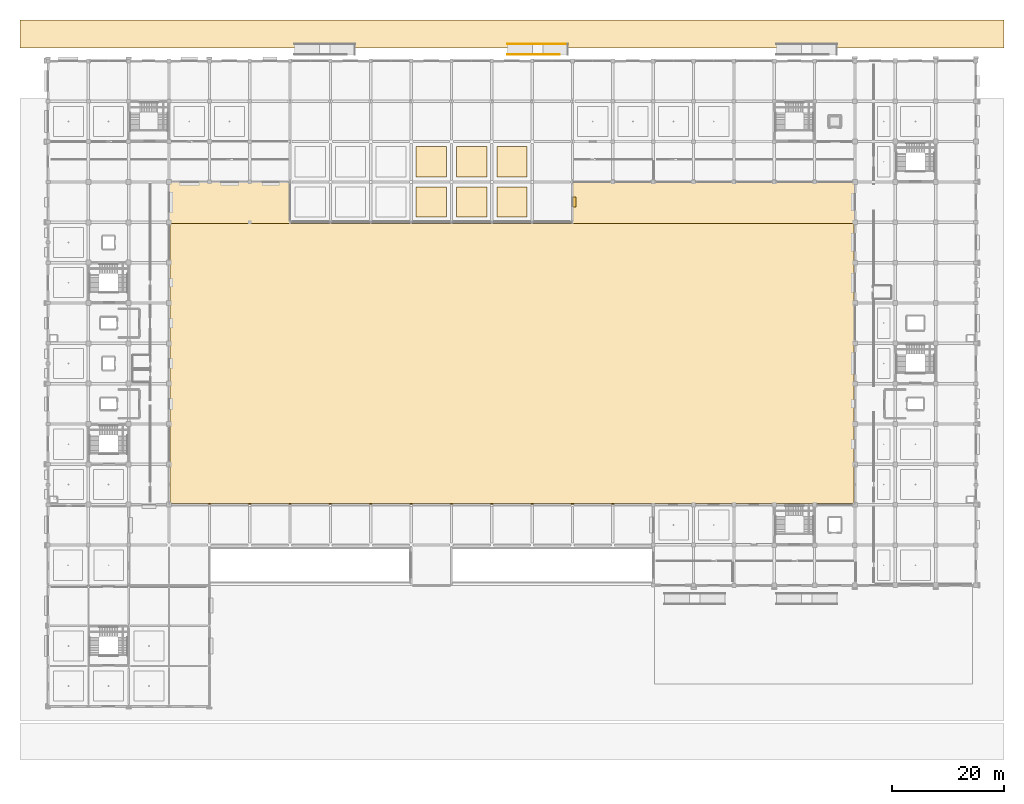
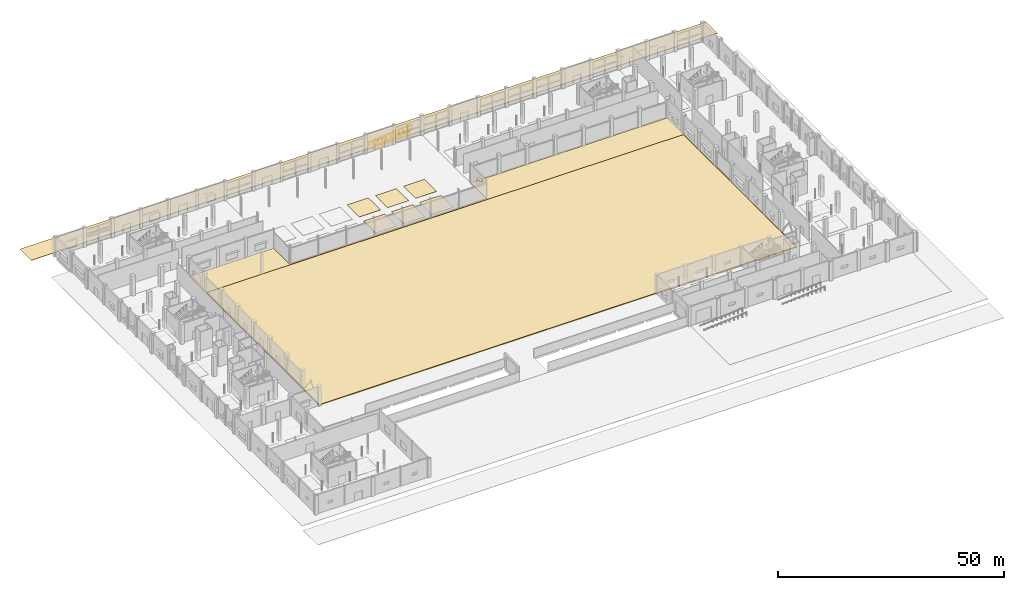
# One storey, part 87 of 90: 9 coverings, 2 railings, 1 shading device.
"""IFC4 building model written with IfcOpenShell, lengths in metres."""

import ifcopenshell
import ifcopenshell.guid

model = None  # the IFC model being written
_history = None  # IfcOwnerHistory: only IFC2X3 demands one
_inside = {}  # id of a spatial element -> (the spatial element, [elements in it])
_under = {}  # id of a project, library or spatial element -> (it, [spatial elements below it])
_declared = {}  # id of a project -> (the project, [libraries it declares])
_typed = {}  # id of a type object -> (the type object, [elements of that type])
_made_of = {}  # id of a material, layer set ... -> (it, [elements and type objects made of it])


def new_model(schema):
    """Start an empty IFC model of exactly this schema.

    Asked for "IFC4X3", IfcOpenShell would pick the latest addendum, in which some entities
    have other attributes; the version numbers below select the first issue.
    IFC2X3 requires an IfcOwnerHistory on every rooted entity: one is made here for all.
    """
    global model, _history
    if schema == "IFC4X3":
        model = ifcopenshell.file(schema_version=(4, 3, 0, 0))
    else:
        model = ifcopenshell.file(schema=schema)
    _inside.clear()
    _under.clear()
    _declared.clear()
    _typed.clear()
    _made_of.clear()
    _history = None
    if model.schema == "IFC2X3":
        org = make("IfcOrganization", Name="unknown")
        user = make(
            "IfcPersonAndOrganization",
            ThePerson=make("IfcPerson", FamilyName="unknown"),
            TheOrganization=org,
        )
        app = make(
            "IfcApplication",
            ApplicationDeveloper=org,
            Version="unknown",
            ApplicationFullName="unknown",
            ApplicationIdentifier="unknown",
        )
        _history = make(
            "IfcOwnerHistory",
            OwningUser=user,
            OwningApplication=app,
            ChangeAction="ADDED",
            CreationDate=0,
        )
    return model


def make(cls, **values):
    """One entity of the class cls with the attributes given. An attribute that is None is left unset."""
    return model.create_entity(
        cls, **{name: value for name, value in values.items() if value is not None}
    )


def rooted(cls, **values):
    """An entity with a GlobalId (a new one), such as an element, a storey or a relation."""
    return make(cls, GlobalId=ifcopenshell.guid.new(), OwnerHistory=_history, **values)


def si_unit(unit_type, name, prefix=None):
    """IfcSIUnit, for example si_unit("LENGTHUNIT", "METRE", prefix="MILLI")."""
    return make("IfcSIUnit", UnitType=unit_type, Prefix=prefix, Name=name)


def assignment(units):
    """IfcUnitAssignment: the units of a project."""
    return None if units is None else make("IfcUnitAssignment", Units=units)


def point(xyz):
    """IfcCartesianPoint."""
    return None if xyz is None else make("IfcCartesianPoint", Coordinates=xyz)


def direction(xyz):
    """IfcDirection."""
    return None if xyz is None else make("IfcDirection", DirectionRatios=xyz)


def frame(location, z_axis=None, x_axis=None):
    """IfcAxis2Placement3D, a coordinate frame: its origin and axes. An axis left out is left unset."""
    return make(
        "IfcAxis2Placement3D",
        Location=point(location),
        Axis=direction(z_axis),
        RefDirection=direction(x_axis),
    )


def frame_2d(location, x_axis=None):
    """IfcAxis2Placement2D, a coordinate frame in the plane: its origin and x axis."""
    return make(
        "IfcAxis2Placement2D", Location=point(location), RefDirection=direction(x_axis)
    )


def origin():
    """The frame at (0, 0, 0) with its axes left unset."""
    return frame((0.0, 0.0, 0.0))


def origin_2d():
    """The frame at (0, 0) in the plane with its x axis left unset."""
    return frame_2d((0.0, 0.0))


def place(relative_to, where):
    """IfcLocalPlacement: puts the frame where relative to a parent placement (None: the world)."""
    return make(
        "IfcLocalPlacement", PlacementRelTo=relative_to, RelativePlacement=where
    )


def context(
    kind, dimensions, precision=None, world=None, true_north=None, identifier=None
):
    """IfcGeometricRepresentationContext, for example the 3D "Model" context."""
    return make(
        "IfcGeometricRepresentationContext",
        ContextIdentifier=identifier,
        ContextType=kind,
        CoordinateSpaceDimension=dimensions,
        Precision=precision,
        WorldCoordinateSystem=world,
        TrueNorth=true_north,
    )


def subcontext(parent, identifier, kind, view, scale=None):
    """IfcGeometricRepresentationSubContext, for example "Body" below "Model"."""
    return make(
        "IfcGeometricRepresentationSubContext",
        ContextIdentifier=identifier,
        ContextType=kind,
        ParentContext=parent,
        TargetScale=scale,
        TargetView=view,
    )


def project(units=None, contexts=None):
    """IfcProject with its units and contexts."""
    return rooted(
        "IfcProject",
        Name="project",
        RepresentationContexts=contexts,
        UnitsInContext=assignment(units),
    )


def spatial(cls, under=None, at=None, **own):
    """A site, building, storey or space (cls), placed at a placement, below another one or the project."""
    s = rooted(cls, ObjectPlacement=at, **own)
    if under is not None:
        _under.setdefault(under.id(), (under, []))[1].append(s)
    return s


def polyline(points):
    """IfcPolyline through the points."""
    return make("IfcPolyline", Points=[point(p) for p in points])


def profile(cls, at=None, kind="AREA", **sizes):
    """A parametric profile (cls). Its sizes go by their IFC names, for example OverallWidth=200.0."""
    return make(cls, ProfileType=kind, Position=at, **sizes)


def rectangle(**sizes):
    """IfcRectangleProfileDef."""
    return profile("IfcRectangleProfileDef", **sizes)


def circle(**sizes):
    """IfcCircleProfileDef."""
    return profile("IfcCircleProfileDef", **sizes)


def outline(outer, holes=None, kind="AREA"):
    """IfcArbitraryClosedProfileDef: a profile drawn as a closed curve; with holes, ...WithVoids."""
    if holes is None:
        return make("IfcArbitraryClosedProfileDef", ProfileType=kind, OuterCurve=outer)
    return make(
        "IfcArbitraryProfileDefWithVoids",
        ProfileType=kind,
        OuterCurve=outer,
        InnerCurves=holes,
    )


def extrude(swept, where, along, depth):
    """IfcExtrudedAreaSolid: the profile swept, set in the frame where, extruded along a direction by depth."""
    return make(
        "IfcExtrudedAreaSolid",
        SweptArea=swept,
        Position=where,
        ExtrudedDirection=direction(along),
        Depth=depth,
    )


def shape(context_of_items, identifier, shape_type, items):
    """IfcShapeRepresentation: the items that make up one representation, for example the "Body"."""
    return make(
        "IfcShapeRepresentation",
        ContextOfItems=context_of_items,
        RepresentationIdentifier=identifier,
        RepresentationType=shape_type,
        Items=items,
    )


def material(Name=None, Category=None):
    """IfcMaterial."""
    return make("IfcMaterial", Name=Name, Category=Category)


def layer(
    of_material, thickness, ventilated=None, Name=None, Category=None, Priority=None
):
    """IfcMaterialLayer: one layer of a wall or slab, of a material (None: an air gap)."""
    return make(
        "IfcMaterialLayer",
        Material=of_material,
        LayerThickness=thickness,
        IsVentilated=ventilated,
        Name=Name,
        Category=Category,
        Priority=Priority,
    )


def layer_set(layers, Name=None):
    """IfcMaterialLayerSet."""
    return make("IfcMaterialLayerSet", MaterialLayers=layers, LayerSetName=Name)


def made_of(thing, what):
    """Note that an element or type object is made of a material, layer set ...; save() writes the relation."""
    if what is not None:
        _made_of.setdefault(what.id(), (what, []))[1].append(thing)
    return thing


def type_object(cls, material=None, **own):
    """A type object (cls), such as IfcWallType, which elements share."""
    return made_of(rooted(cls, **own), material)


def element(
    cls,
    number,
    at=None,
    inside=None,
    cuts=None,
    type_object=None,
    material=None,
    context=None,
    identifier="Body",
    shape_type=None,
    held_by="IfcProductDefinitionShape",
    body=None,
    shapes=None,
    **own,
):
    """One element of the class cls, such as IfcWall. Its Tag is "e" and its number.

    at: its placement. inside: the storey or other place that contains it. cuts: it is an
    opening in that element (IfcRelVoidsElement). A single representation is given by context,
    identifier, shape_type and body (its items); several are given by shapes. held_by: the class
    of the entity that holds the representations. save() writes the other relations.
    """
    e = rooted(cls, Tag="e%d" % number, ObjectPlacement=at, **own)
    if body is not None:
        shapes = [shape(context, identifier, shape_type, body)]
    if shapes is not None:
        e.Representation = make(held_by, Representations=shapes)
    if inside is not None:
        _inside.setdefault(inside.id(), (inside, []))[1].append(e)
    if cuts is not None:
        rooted(
            "IfcRelVoidsElement", RelatingBuildingElement=cuts, RelatedOpeningElement=e
        )
    if type_object is not None:
        _typed.setdefault(type_object.id(), (type_object, []))[1].append(e)
    return made_of(e, material)


def aggregate(whole, parts):
    """IfcRelAggregates: a whole, such as a stair, and the parts it consists of."""
    return rooted("IfcRelAggregates", RelatingObject=whole, RelatedObjects=parts)


def save(model, path):
    """Write the relations noted so far, then the file.

    IfcRelAggregates (storeys below a building ...), IfcRelContainedInSpatialStructure (elements
    in a storey), IfcRelDefinesByType, IfcRelAssociatesMaterial and IfcRelDeclares: one each for
    every whole, place, type object, material and project.
    """
    for whole, parts in _under.values():
        aggregate(whole, parts)
    for where, things in _inside.values():
        rooted(
            "IfcRelContainedInSpatialStructure",
            RelatedElements=things,
            RelatingStructure=where,
        )
    for kind, things in _typed.values():
        rooted("IfcRelDefinesByType", RelatedObjects=things, RelatingType=kind)
    for what, things in _made_of.values():
        rooted("IfcRelAssociatesMaterial", RelatedObjects=things, RelatingMaterial=what)
    for by, libraries in _declared.values():
        rooted("IfcRelDeclares", RelatingContext=by, RelatedDefinitions=libraries)
    model.write(path)


model = new_model("IFC4")

# Units and contexts
model_context = context("Model", 3, precision=1e-05, world=origin(), true_north=direction((0.0, 1.0)))
body_context = subcontext(model_context, "Body", "Model", "MODEL_VIEW")
ifc_project = project(units=[si_unit("LENGTHUNIT", "METRE"), si_unit("AREAUNIT", "SQUARE_METRE"), si_unit("VOLUMEUNIT", "CUBIC_METRE"), si_unit("PLANEANGLEUNIT", "RADIAN"), si_unit("MASSUNIT", "GRAM", prefix="KILO")], contexts=[model_context])

# Site, building, storey
site_placement = place(None, origin())
site = spatial("IfcSite", under=ifc_project, at=site_placement, CompositionType="ELEMENT")
building_placement = place(site_placement, origin())
building = spatial("IfcBuilding", under=site, at=building_placement, Name="Kangsadwip Square Police Headquarters", CompositionType="ELEMENT")
storey_placement = place(building_placement, origin())
storey = spatial("IfcBuildingStorey", under=building, at=storey_placement, Name="L00", CompositionType="ELEMENT", Elevation=0.0)

# Railings
ifc_material_1 = material(Name="Structural steel IS 2062 E250 (Grade 250, 250 MPa)", Category="steel")
railing_type = type_object("IfcRailingType", Name="BalustradeGuard1100", PredefinedType="BALUSTRADE", material=ifc_material_1)
railing_1_placement = place(storey_placement, frame((82.0, 116.360107421875, -0.89990234375)))
element("IfcRailing", 1, at=railing_1_placement, inside=storey, type_object=railing_type, Name="Accessible Ramp Guard AR-02-32", PredefinedType="BALUSTRADE", context=body_context, shape_type="SweptSolid", body=[
    extrude(circle(Radius=0.02392578125, at=origin_2d()), frame((0.0, 0.0, 1.09619140625), z_axis=(0.99672403335, 0.0, 0.080877693725), x_axis=(0.0, 1.0, 0.0)), (0.0, 0.0, 1.0), 9.33056640625),
    extrude(circle(Radius=0.02099609375, at=origin_2d()), origin(), (0.0, 0.0, 1.0), 1.072021484375),
    extrude(circle(Radius=0.02099609375, at=origin_2d()), frame((1.16259765625, 0.0, 0.09423828125)), (0.0, 0.0, 1.0), 1.072021484375),
    extrude(circle(Radius=0.02099609375, at=origin_2d()), frame((2.324951171875, 0.0, 0.188720703125)), (0.0, 0.0, 1.0), 1.072021484375),
    extrude(circle(Radius=0.02099609375, at=origin_2d()), frame((3.487548828125, 0.0, 0.282958984375)), (0.0, 0.0, 1.0), 1.072021484375),
    extrude(circle(Radius=0.02099609375, at=origin_2d()), frame((4.64990234375, 0.0, 0.37744140625)), (0.0, 0.0, 1.0), 1.072021484375),
    extrude(circle(Radius=0.02099609375, at=origin_2d()), frame((5.8125, 0.0, 0.4716796875)), (0.0, 0.0, 1.0), 1.072021484375),
    extrude(circle(Radius=0.02099609375, at=origin_2d()), frame((6.97509765625, 0.0, 0.56591796875)), (0.0, 0.0, 1.0), 1.072021484375),
    extrude(circle(Radius=0.02099609375, at=origin_2d()), frame((8.137451171875, 0.0, 0.660400390625)), (0.0, 0.0, 1.0), 1.072021484375),
    extrude(circle(Radius=0.02099609375, at=origin_2d()), frame((9.300048828125, 0.0, 0.754638671875)), (0.0, 0.0, 1.0), 1.072021484375),
])
railing_2_placement = place(storey_placement, frame((82.0, 118.239990234375, -0.89990234375)))
element("IfcRailing", 2, at=railing_2_placement, inside=storey, type_object=railing_type, Name="Accessible Ramp Guard AR-02-33", PredefinedType="BALUSTRADE", context=body_context, shape_type="SweptSolid", body=[
    extrude(circle(Radius=0.02392578125, at=origin_2d()), frame((0.0, 0.0, 1.09619140625), z_axis=(0.99654653501, 0.0, 0.083036158149), x_axis=(0.0, 1.0, 0.0)), (0.0, 0.0, 1.0), 10.83740234375),
    extrude(circle(Radius=0.02099609375, at=origin_2d()), origin(), (0.0, 0.0, 1.0), 1.072021484375),
    extrude(circle(Radius=0.02099609375, at=origin_2d()), frame((1.080078125, 0.0, 0.090087890625)), (0.0, 0.0, 1.0), 1.072021484375),
    extrude(circle(Radius=0.02099609375, at=origin_2d()), frame((2.159912109375, 0.0, 0.179931640625)), (0.0, 0.0, 1.0), 1.072021484375),
    extrude(circle(Radius=0.02099609375, at=origin_2d()), frame((3.239990234375, 0.0, 0.27001953125)), (0.0, 0.0, 1.0), 1.072021484375),
    extrude(circle(Radius=0.02099609375, at=origin_2d()), frame((4.320068359375, 0.0, 0.35986328125)), (0.0, 0.0, 1.0), 1.072021484375),
    extrude(circle(Radius=0.02099609375, at=origin_2d()), frame((5.39990234375, 0.0, 0.449951171875)), (0.0, 0.0, 1.0), 1.072021484375),
    extrude(circle(Radius=0.02099609375, at=origin_2d()), frame((6.47998046875, 0.0, 0.5400390625)), (0.0, 0.0, 1.0), 1.072021484375),
    extrude(circle(Radius=0.02099609375, at=origin_2d()), frame((7.56005859375, 0.0, 0.6298828125)), (0.0, 0.0, 1.0), 1.072021484375),
    extrude(circle(Radius=0.02099609375, at=origin_2d()), frame((8.64013671875, 0.0, 0.719970703125)), (0.0, 0.0, 1.0), 1.072021484375),
    extrude(circle(Radius=0.02099609375, at=origin_2d()), frame((9.719970703125, 0.0, 0.809814453125)), (0.0, 0.0, 1.0), 1.072021484375),
    extrude(circle(Radius=0.02099609375, at=origin_2d()), frame((10.800048828125, 0.0, 0.89990234375)), (0.0, 0.0, 1.0), 1.072021484375),
])

# Coverings
ifc_material_2 = material(Name="Flamed Indian granite stone exterior paving", Category="masonry")
ifc_layer_1 = layer(ifc_material_2, 0.080078125)
ifc_layer_set_1 = layer_set([ifc_layer_1], Name="Flamed Indian granite stone exterior paving")
covering_type_1 = type_object("IfcCoveringType", Name="GranitePrecinctPaving", PredefinedType="USERDEFINED", material=ifc_layer_set_1)
covering_1_placement = place(storey_placement, frame((0.0, 0.0, -0.10009765625)))
element("IfcCovering", 3, at=covering_1_placement, inside=storey, type_object=covering_type_1, Name="Raised Plinth Colonnade Perimeter Walk 2", ObjectType="PAVING", PredefinedType="USERDEFINED", context=body_context, shape_type="SweptSolid", body=[
    extrude(outline(polyline([(144.0, 36.0), (21.60009765625, 36.0), (21.60009765625, 93.60009765625), (43.199951171875, 93.60009765625), (43.199951171875, 86.39990234375), (93.60009765625, 86.39990234375), (93.60009765625, 93.60009765625), (144.0, 93.60009765625), (144.0, 36.0)]), holes=[polyline([(21.800048828125, 86.199951171875), (21.800048828125, 36.199951171875), (143.800048828125, 36.199951171875), (143.800048828125, 86.199951171875), (21.800048828125, 86.199951171875)])]), origin(), (0.0, 0.0, 1.0), 0.10009765625),
])
covering_2_placement = place(storey_placement, frame((0.0, 0.0, -0.080078125)))
element("IfcCovering", 4, at=covering_2_placement, inside=storey, type_object=covering_type_1, Name="Central Glazed Terracotta Light Court Paving", ObjectType="PAVING", PredefinedType="USERDEFINED", context=body_context, shape_type="SweptSolid", body=[
    extrude(outline(polyline([(21.800048828125, 36.199951171875), (143.800048828125, 36.199951171875), (143.800048828125, 86.199951171875), (21.800048828125, 86.199951171875), (21.800048828125, 36.199951171875)])), origin(), (0.0, 0.0, 1.0), 0.080078125),
])
covering_3_placement = place(storey_placement, frame((0.0, 0.0, -0.97998046875)))
element("IfcCovering", 5, at=covering_3_placement, inside=storey, type_object=covering_type_1, Name="North Civic Square Forecourt Drop-Off Apron", ObjectType="PAVING", PredefinedType="USERDEFINED", context=body_context, shape_type="SweptSolid", body=[
    extrude(outline(polyline([(-5.0, 117.5), (170.60009765625, 117.5), (170.60009765625, 122.5), (-5.0, 122.5), (-5.0, 117.5)])), origin(), (0.0, 0.0, 1.0), 0.080078125),
])
ifc_material_3 = material(Name="Seamless anti-static epoxy and polished Kota stone interior flooring", Category="masonry")
ifc_layer_2 = layer(ifc_material_3, 0.02001953125)
ifc_layer_set_2 = layer_set([ifc_layer_2], Name="Seamless anti-static epoxy and polished Kota stone interior flooring")
covering_type_2 = type_object("IfcCoveringType", Name="InteriorStoneEpoxyFloor", PredefinedType="FLOORING", material=ifc_layer_set_2)
covering_4_placement = place(storey_placement, origin())
element("IfcCovering", 6, at=covering_4_placement, inside=storey, type_object=covering_type_2, Name="Interior Floor Finish L00-004", PredefinedType="FLOORING", context=body_context, shape_type="SweptSolid", body=[
    extrude(outline(polyline([(65.699951171875, 87.300048828125), (71.10009765625, 87.300048828125), (71.10009765625, 92.699951171875), (65.699951171875, 92.699951171875), (65.699951171875, 87.300048828125)])), origin(), (0.0, 0.0, 1.0), 0.02001953125),
])
covering_5_placement = place(storey_placement, origin())
element("IfcCovering", 7, at=covering_5_placement, inside=storey, type_object=covering_type_2, Name="Interior Floor Finish L00-005", PredefinedType="FLOORING", context=body_context, shape_type="SweptSolid", body=[
    extrude(outline(polyline([(72.89990234375, 87.300048828125), (78.300048828125, 87.300048828125), (78.300048828125, 92.699951171875), (72.89990234375, 92.699951171875), (72.89990234375, 87.300048828125)])), origin(), (0.0, 0.0, 1.0), 0.02001953125),
])
covering_6_placement = place(storey_placement, origin())
element("IfcCovering", 8, at=covering_6_placement, inside=storey, type_object=covering_type_2, Name="Interior Floor Finish L00-006", PredefinedType="FLOORING", context=body_context, shape_type="SweptSolid", body=[
    extrude(outline(polyline([(80.10009765625, 87.300048828125), (85.5, 87.300048828125), (85.5, 92.699951171875), (80.10009765625, 92.699951171875), (80.10009765625, 87.300048828125)])), origin(), (0.0, 0.0, 1.0), 0.02001953125),
])
covering_7_placement = place(storey_placement, origin())
element("IfcCovering", 9, at=covering_7_placement, inside=storey, type_object=covering_type_2, Name="Interior Floor Finish L00-010", PredefinedType="FLOORING", context=body_context, shape_type="SweptSolid", body=[
    extrude(outline(polyline([(65.699951171875, 94.5), (71.10009765625, 94.5), (71.10009765625, 99.89990234375), (65.699951171875, 99.89990234375), (65.699951171875, 94.5)])), origin(), (0.0, 0.0, 1.0), 0.02001953125),
])
covering_8_placement = place(storey_placement, origin())
element("IfcCovering", 10, at=covering_8_placement, inside=storey, type_object=covering_type_2, Name="Interior Floor Finish L00-011", PredefinedType="FLOORING", context=body_context, shape_type="SweptSolid", body=[
    extrude(outline(polyline([(72.89990234375, 94.5), (78.300048828125, 94.5), (78.300048828125, 99.89990234375), (72.89990234375, 99.89990234375), (72.89990234375, 94.5)])), origin(), (0.0, 0.0, 1.0), 0.02001953125),
])
covering_9_placement = place(storey_placement, origin())
element("IfcCovering", 11, at=covering_9_placement, inside=storey, type_object=covering_type_2, Name="Interior Floor Finish L00-012", PredefinedType="FLOORING", context=body_context, shape_type="SweptSolid", body=[
    extrude(outline(polyline([(80.10009765625, 94.5), (85.5, 94.5), (85.5, 99.89990234375), (80.10009765625, 99.89990234375), (80.10009765625, 94.5)])), origin(), (0.0, 0.0, 1.0), 0.02001953125),
])

# Shading device
ifc_material_4 = material(Name="Architectural terracotta and anodised aluminium AW-6061-T6", Category="aluminium")
shading_device_type = type_object("IfcShadingDeviceType", Name="TerracottaChhajjaAwning", PredefinedType="AWNING", material=ifc_material_4)
shading_device_placement = place(storey_placement, frame((93.89990234375, 90.0, 2.9150390625), z_axis=(0.0, 0.0, 1.0), x_axis=(0.0, 1.0, 0.0)))
element("IfcShadingDevice", 12, at=shading_device_placement, inside=storey, type_object=shading_device_type, Name="Terracotta Chhajja Hood CHJ-L00-0030", PredefinedType="AWNING", context=body_context, shape_type="SweptSolid", body=[
    extrude(rectangle(XDim=1.800048828125, YDim=0.719970703125, at=origin_2d()), origin(), (0.0, 0.0, 1.0), 0.090087890625),
])

save(model, "model.ifc")
